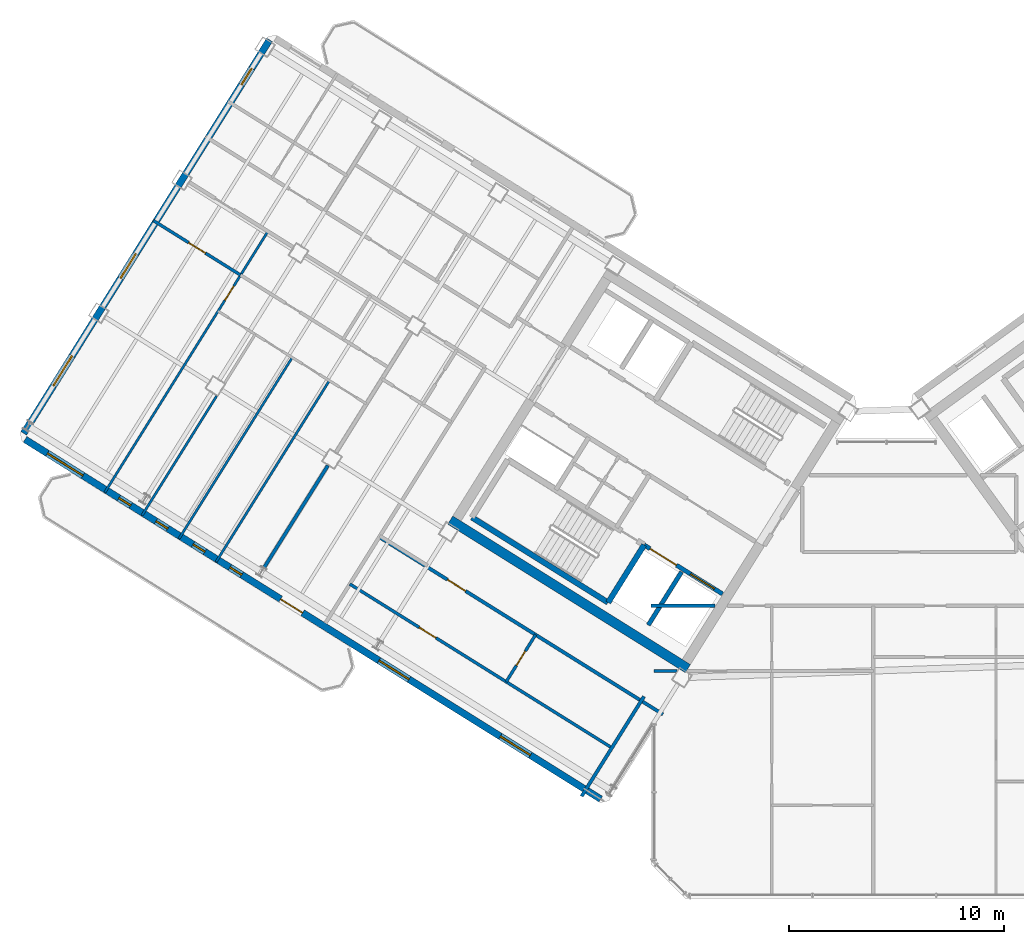
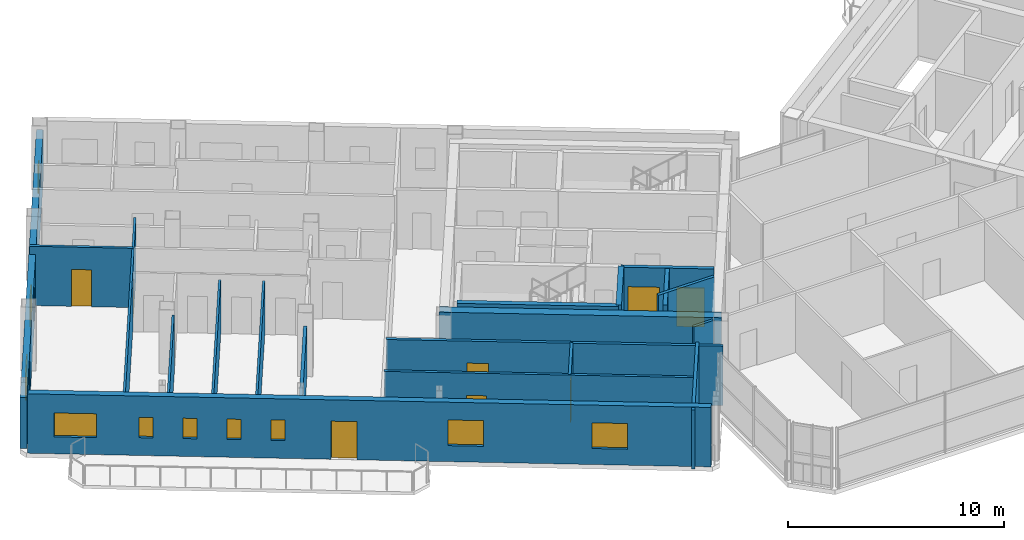
# One storey, part 16 of 25: 19 walls, 10 windows, 8 doors, 18 openings.
"""IFC4 building model written with IfcOpenShell, lengths in metres."""

from ifc_helpers import new_model, si_unit, direction, frame, frame_2d, origin, place, context, subcontext, project, spatial, rectangle, extrude, source, transform, mapped, material, layer, layer_set, type_object, element, fill, save


model = new_model("IFC4")

# Units and contexts
model_context = context("Model", 3, precision=1e-05, world=origin(), true_north=direction((0.0, 1.0)))
body_context = subcontext(model_context, "Body", "Model", "MODEL_VIEW")
ifc_project = project(units=[si_unit("LENGTHUNIT", "METRE"), si_unit("AREAUNIT", "SQUARE_METRE"), si_unit("VOLUMEUNIT", "CUBIC_METRE"), si_unit("PLANEANGLEUNIT", "RADIAN"), si_unit("MASSUNIT", "GRAM", prefix="KILO")], contexts=[model_context])

# Site, building, storey
site_placement = place(None, origin())
site = spatial("IfcSite", under=ifc_project, at=site_placement, CompositionType="ELEMENT")
building_placement = place(site_placement, origin())
building = spatial("IfcBuilding", under=site, at=building_placement, Name="Tlacorven Tower", CompositionType="ELEMENT")
storey_placement = place(building_placement, frame((0.0, 0.0, 259.199951171875)))
storey = spatial("IfcBuildingStorey", under=building, at=storey_placement, Name="L65", CompositionType="ELEMENT", Elevation=259.199951171875)

# Walls
ifc_material_1 = material(Name="Concrete C50/60", Category="concrete")
ifc_layer_1 = layer(ifc_material_1, 0.449951171875)
ifc_layer_set_1 = layer_set([ifc_layer_1], Name="Concrete C50/60")
wall_type_1 = type_object("IfcWallType", Name="WL-COR-450", PredefinedType="SHEAR", material=ifc_layer_set_1)
wall_1_placement = place(storey_placement, frame((33.32373046875, 12.5029296875, 0.0), z_axis=(0.0, 0.0, 1.0), x_axis=(-0.848043529849, 0.529926571782, 0.0)))
element("IfcWall", 1, at=wall_1_placement, inside=storey, type_object=wall_type_1, Name="L65 W core shear wall S2", PredefinedType="SHEAR", context=body_context, shape_type="SweptSolid", body=[
    extrude(rectangle(XDim=13.039794921875, YDim=0.449951171875, at=frame_2d((6.52001953125, 0.0))), origin(), (0.0, 0.0, 1.0), 3.35009765625),
])
ifc_material_2 = material(Name="Gypsum plasterboard acoustic partition", Category="gypsum")
ifc_layer_2 = layer(ifc_material_2, 0.159912109375)
ifc_layer_set_2 = layer_set([ifc_layer_2], Name="Gypsum plasterboard acoustic partition")
wall_type_2 = type_object("IfcWallType", Name="WL-DEM-160", PredefinedType="PARTITIONING", material=ifc_layer_set_2)
wall_2_placement = place(storey_placement, frame((16.57177734375, 21.954345703125, 0.0), z_axis=(0.0, 0.0, 1.0), x_axis=(-0.529904903214, -0.848057069748, 0.0)))
element("IfcWall", 2, at=wall_2_placement, inside=storey, type_object=wall_type_2, Name="L65 WN Demising Wall 1", PredefinedType="PARTITIONING", context=body_context, shape_type="SweptSolid", body=[
    extrude(rectangle(XDim=5.60107421875, YDim=0.159912109375, at=frame_2d((2.800537109375, 0.0))), origin(), (0.0, 0.0, 1.0), 2.875),
])

# Wall, opening, door
wall_3_placement = place(storey_placement, frame((32.164306640625, 10.373779296875, 0.0), z_axis=(0.0, 0.0, 1.0), x_axis=(-0.848044107957, 0.529925646633, 0.0)))
wall_3 = element("IfcWall", 3, at=wall_3_placement, inside=storey, type_object=wall_type_2, Name="L65 partition 64", PredefinedType="PARTITIONING", context=body_context, shape_type="SweptSolid", body=[
    extrude(rectangle(XDim=15.570068359375, YDim=0.159912109375, at=frame_2d((7.78515625, 0.0))), origin(), (0.0, 0.0, 1.0), 3.340087890625),
])
opening_1_placement = place(wall_3_placement, frame((10.830078125, 0.0, 0.0)))
opening_1 = element("IfcOpeningElement", 4, at=opening_1_placement, cuts=wall_3, Name="Opening D11", PredefinedType="OPENING", context=body_context, shape_type="SweptSolid", body=[
    extrude(rectangle(XDim=1.0, YDim=2.10009765625, at=frame_2d((0.5, 1.050048828125))), frame((0.0, 0.08984375, 0.0), z_axis=(0.0, -1.0, 0.0), x_axis=(1.0, 0.0, 0.0)), (0.0, 0.0, 1.0), 0.179931640625),
])
ifc_material_3 = material(Name="Fire-rated steel door assembly", Category="steel")
door_type_1 = type_object("IfcDoorType", Name="DR-FLT-FD60-1000", OperationType="NOTDEFINED", PredefinedType="DOOR", material=ifc_material_3)
shared_shape_1 = source(origin(), body_context, "Body", "SweptSolid", [
    extrude(rectangle(XDim=1.0, YDim=2.10009765625, at=frame_2d((0.5, 1.050048828125))), frame((0.0, 0.02490234375, 0.0), z_axis=(0.0, -1.0, 0.0), x_axis=(1.0, 0.0, 0.0)), (0.0, 0.0, 1.0), 0.050048828125),
])
door_1_placement = place(opening_1_placement, origin())
door_1 = element("IfcDoor", 5, at=door_1_placement, inside=storey, type_object=door_type_1, Name="L65 door 044", OperationType="SINGLE_SWING_RIGHT", OverallHeight=2.10009765625, OverallWidth=1.0, PredefinedType="DOOR", context=body_context, shape_type="MappedRepresentation", body=[
    mapped(shared_shape_1, transform((0.0, 0.0, 0.0), scale=1.0)),
])
fill(opening_1, door_1)

# Walls
wall_4_placement = place(storey_placement, frame((31.282470703125, 11.2080078125, 0.0), z_axis=(0.0, 0.0, 1.0), x_axis=(-0.529938869374, -0.84803584519, 0.0)))
element("IfcWall", 6, at=wall_4_placement, inside=storey, type_object=wall_type_2, Name="L65 WC West Throat Wall", PredefinedType="PARTITIONING", context=body_context, shape_type="SweptSolid", body=[
    extrude(rectangle(XDim=5.47998046875, YDim=0.159912109375, at=frame_2d((2.739990234375, 0.0))), origin(), (0.0, 0.0, 1.0), 3.340087890625),
])
wall_5_placement = place(storey_placement, frame((31.60009765625, 15.419921875, 0.0), z_axis=(0.0, 0.0, 1.0), x_axis=(1.0, 0.0, 0.0)))
element("IfcWall", 7, at=wall_5_placement, inside=storey, type_object=wall_type_2, Name="L65 Knuckle Corridor South Wall", PredefinedType="PARTITIONING", context=body_context, shape_type="SweptSolid", body=[
    extrude(rectangle(XDim=2.984130859375, YDim=0.159912109375, at=frame_2d((1.4921875, 0.0))), origin(), (0.0, 0.0, 1.0), 3.340087890625),
])

# Wall, openings, door, windows
ifc_material_4 = material(Name="Precast concrete C45/55", Category="concrete")
ifc_layer_3 = layer(ifc_material_4, 0.320068359375)
ifc_layer_set_3 = layer_set([ifc_layer_3], Name="Precast concrete C45/55")
wall_type_3 = type_object("IfcWallType", Name="WL-EXT-320", PredefinedType="STANDARD", material=ifc_layer_set_3)
wall_6_placement = place(storey_placement, frame((29.267822265625, 6.429443359375, 0.0), z_axis=(0.0, 0.0, 1.0), x_axis=(-0.848049971435, 0.529916263149, 0.0)))
wall_6 = element("IfcWall", 8, at=wall_6_placement, inside=storey, type_object=wall_type_3, Name="L65 Masonry-Frame Recessed Facade Wall 1", PredefinedType="STANDARD", context=body_context, shape_type="SweptSolid", body=[
    extrude(rectangle(XDim=31.587646484375, YDim=0.320068359375, at=frame_2d((15.7939453125, 0.0))), origin(), (0.0, 0.0, 1.0), 3.35009765625),
])
opening_2_placement = place(wall_6_placement, frame((16.36181640625, 0.0, 0.0)))
opening_2 = element("IfcOpeningElement", 9, at=opening_2_placement, cuts=wall_6, Name="Opening D05", PredefinedType="OPENING", context=body_context, shape_type="SweptSolid", body=[
    extrude(rectangle(XDim=1.199951171875, YDim=2.14990234375, at=frame_2d((0.60009765625, 1.074951171875))), frame((0.0, 0.169921875, 0.0), z_axis=(0.0, -1.0, 0.0), x_axis=(1.0, 0.0, 0.0)), (0.0, 0.0, 1.0), 0.340087890625),
])
opening_3_placement = place(wall_6_placement, frame((3.858642578125, 0.0, 0.89990234375)))
opening_3 = element("IfcOpeningElement", 10, at=opening_3_placement, cuts=wall_6, Name="Opening WN07", PredefinedType="OPENING", context=body_context, shape_type="SweptSolid", body=[
    extrude(rectangle(XDim=1.64990234375, YDim=1.449951171875, at=frame_2d((0.824951171875, 0.72509765625))), frame((0.0, 0.169921875, 0.0), z_axis=(0.0, -1.0, 0.0), x_axis=(1.0, 0.0, 0.0)), (0.0, 0.0, 1.0), 0.340087890625),
])
opening_4_placement = place(wall_6_placement, frame((10.518798828125, 0.0, 0.89990234375)))
opening_4 = element("IfcOpeningElement", 11, at=opening_4_placement, cuts=wall_6, Name="Opening WN07", PredefinedType="OPENING", context=body_context, shape_type="SweptSolid", body=[
    extrude(rectangle(XDim=1.64990234375, YDim=1.449951171875, at=frame_2d((0.824951171875, 0.72509765625))), frame((0.0, 0.169921875, 0.0), z_axis=(0.0, -1.0, 0.0), x_axis=(1.0, 0.0, 0.0)), (0.0, 0.0, 1.0), 0.340087890625),
])
opening_5_placement = place(wall_6_placement, frame((28.4130859375, 0.0, 0.949951171875)))
opening_5 = element("IfcOpeningElement", 12, at=opening_5_placement, cuts=wall_6, Name="Opening WN09", PredefinedType="OPENING", context=body_context, shape_type="SweptSolid", body=[
    extrude(rectangle(XDim=1.949951171875, YDim=1.35009765625, at=frame_2d((0.97509765625, 0.675048828125))), frame((0.0, 0.169921875, 0.0), z_axis=(0.0, -1.0, 0.0), x_axis=(1.0, 0.0, 0.0)), (0.0, 0.0, 1.0), 0.340087890625),
])
opening_6_placement = place(wall_6_placement, frame((19.69873046875, 0.0, 1.0)))
opening_6 = element("IfcOpeningElement", 13, at=opening_6_placement, cuts=wall_6, Name="Opening WN21", PredefinedType="OPENING", context=body_context, shape_type="SweptSolid", body=[
    extrude(rectangle(XDim=0.64990234375, YDim=1.14990234375, at=frame_2d((0.324951171875, 0.574951171875))), frame((0.0, 0.169921875, 0.0), z_axis=(0.0, -1.0, 0.0), x_axis=(1.0, 0.0, 0.0)), (0.0, 0.0, 1.0), 0.340087890625),
])
opening_7_placement = place(wall_6_placement, frame((21.72119140625, 0.0, 1.0)))
opening_7 = element("IfcOpeningElement", 14, at=opening_7_placement, cuts=wall_6, Name="Opening WN21", PredefinedType="OPENING", context=body_context, shape_type="SweptSolid", body=[
    extrude(rectangle(XDim=0.64990234375, YDim=1.14990234375, at=frame_2d((0.324951171875, 0.574951171875))), frame((0.0, 0.169921875, 0.0), z_axis=(0.0, -1.0, 0.0), x_axis=(1.0, 0.0, 0.0)), (0.0, 0.0, 1.0), 0.340087890625),
])
opening_8_placement = place(wall_6_placement, frame((23.756103515625, 0.0, 1.0)))
opening_8 = element("IfcOpeningElement", 15, at=opening_8_placement, cuts=wall_6, Name="Opening WN21", PredefinedType="OPENING", context=body_context, shape_type="SweptSolid", body=[
    extrude(rectangle(XDim=0.64990234375, YDim=1.14990234375, at=frame_2d((0.324951171875, 0.574951171875))), frame((0.0, 0.169921875, 0.0), z_axis=(0.0, -1.0, 0.0), x_axis=(1.0, 0.0, 0.0)), (0.0, 0.0, 1.0), 0.340087890625),
])
opening_9_placement = place(wall_6_placement, frame((25.791259765625, 0.0, 1.0)))
opening_9 = element("IfcOpeningElement", 16, at=opening_9_placement, cuts=wall_6, Name="Opening WN21", PredefinedType="OPENING", context=body_context, shape_type="SweptSolid", body=[
    extrude(rectangle(XDim=0.64990234375, YDim=1.14990234375, at=frame_2d((0.324951171875, 0.574951171875))), frame((0.0, 0.169921875, 0.0), z_axis=(0.0, -1.0, 0.0), x_axis=(1.0, 0.0, 0.0)), (0.0, 0.0, 1.0), 0.340087890625),
])
ifc_material_5 = material(Name="Powder-coated aluminium and timber door", Category="wood")
door_type_2 = type_object("IfcDoorType", Name="DR-EXT-BALC-1200", OperationType="NOTDEFINED", PredefinedType="DOOR", material=ifc_material_5)
shared_shape_2 = source(origin(), body_context, "Body", "SweptSolid", [
    extrude(rectangle(XDim=1.199951171875, YDim=2.14990234375, at=frame_2d((0.60009765625, 1.074951171875))), frame((0.0, 0.02490234375, 0.0), z_axis=(0.0, -1.0, 0.0), x_axis=(1.0, 0.0, 0.0)), (0.0, 0.0, 1.0), 0.050048828125),
])
door_2_placement = place(opening_2_placement, origin())
door_2 = element("IfcDoor", 17, at=door_2_placement, inside=storey, type_object=door_type_2, Name="L65 Outdoor Access Door BAL-L65-W-OUT", OperationType="SINGLE_SWING_LEFT", OverallHeight=2.14990234375, OverallWidth=1.199951171875, PredefinedType="DOOR", context=body_context, shape_type="MappedRepresentation", body=[
    mapped(shared_shape_2, transform((0.0, 0.0, 0.0), scale=1.0)),
])
fill(opening_2, door_2)
ifc_material_6 = material(Name="Dark solar low-E double glazing in anodised aluminium frame", Category="aluminium")
window_type_1 = type_object("IfcWindowType", Name="WN-APT-0650X1150", PartitioningType="SINGLE_PANEL", PredefinedType="WINDOW", material=ifc_material_6)
shared_shape_3 = source(origin(), body_context, "Body", "SweptSolid", [
    extrude(rectangle(XDim=0.64990234375, YDim=1.14990234375, at=frame_2d((0.324951171875, 0.574951171875))), frame((0.0, 0.030029296875, 0.0), z_axis=(0.0, -1.0, 0.0), x_axis=(1.0, 0.0, 0.0)), (0.0, 0.0, 1.0), 0.06005859375),
])
window_1_placement = place(opening_6_placement, origin())
window_1 = element("IfcWindow", 18, at=window_1_placement, inside=storey, type_object=window_type_1, Name="L65 Dwelling Daylight Window L65-U02-BD1", OverallHeight=1.14990234375, OverallWidth=0.64990234375, PartitioningType="SINGLE_PANEL", PredefinedType="WINDOW", context=body_context, shape_type="MappedRepresentation", body=[
    mapped(shared_shape_3, transform((0.0, 0.0, 0.0), scale=1.0)),
])
fill(opening_6, window_1)
window_2_placement = place(opening_7_placement, origin())
window_2 = element("IfcWindow", 19, at=window_2_placement, inside=storey, type_object=window_type_1, Name="L65 Dwelling Daylight Window L65-U02-BD2", OverallHeight=1.14990234375, OverallWidth=0.64990234375, PartitioningType="SINGLE_PANEL", PredefinedType="WINDOW", context=body_context, shape_type="MappedRepresentation", body=[
    mapped(shared_shape_3, transform((0.0, 0.0, 0.0), scale=1.0)),
])
fill(opening_7, window_2)
window_3_placement = place(opening_8_placement, origin())
window_3 = element("IfcWindow", 20, at=window_3_placement, inside=storey, type_object=window_type_1, Name="L65 Dwelling Daylight Window L65-U02-BD3", OverallHeight=1.14990234375, OverallWidth=0.64990234375, PartitioningType="SINGLE_PANEL", PredefinedType="WINDOW", context=body_context, shape_type="MappedRepresentation", body=[
    mapped(shared_shape_3, transform((0.0, 0.0, 0.0), scale=1.0)),
])
fill(opening_8, window_3)
window_4_placement = place(opening_9_placement, origin())
window_4 = element("IfcWindow", 21, at=window_4_placement, inside=storey, type_object=window_type_1, Name="L65 Dwelling Daylight Window L65-U02-BD4", OverallHeight=1.14990234375, OverallWidth=0.64990234375, PartitioningType="SINGLE_PANEL", PredefinedType="WINDOW", context=body_context, shape_type="MappedRepresentation", body=[
    mapped(shared_shape_3, transform((0.0, 0.0, 0.0), scale=1.0)),
])
fill(opening_9, window_4)
window_type_2 = type_object("IfcWindowType", Name="WN-APT-1650X1600", PartitioningType="SINGLE_PANEL", PredefinedType="WINDOW", material=ifc_material_6)
shared_shape_4 = source(origin(), body_context, "Body", "SweptSolid", [
    extrude(rectangle(XDim=1.64990234375, YDim=1.449951171875, at=frame_2d((0.824951171875, 0.72509765625))), frame((0.0, 0.030029296875, 0.0), z_axis=(0.0, -1.0, 0.0), x_axis=(1.0, 0.0, 0.0)), (0.0, 0.0, 1.0), 0.06005859375),
])
window_5_placement = place(opening_3_placement, origin())
window_5 = element("IfcWindow", 22, at=window_5_placement, inside=storey, type_object=window_type_2, Name="L65 Recessed Masonry-Frame Window L65-01.1", OverallHeight=1.449951171875, OverallWidth=1.64990234375, PartitioningType="SINGLE_PANEL", PredefinedType="WINDOW", context=body_context, shape_type="MappedRepresentation", body=[
    mapped(shared_shape_4, transform((0.0, 0.0, 0.0), scale=1.0)),
])
fill(opening_3, window_5)
window_6_placement = place(opening_4_placement, origin())
window_6 = element("IfcWindow", 23, at=window_6_placement, inside=storey, type_object=window_type_2, Name="L65 Recessed Masonry-Frame Window L65-01.2", OverallHeight=1.449951171875, OverallWidth=1.64990234375, PartitioningType="SINGLE_PANEL", PredefinedType="WINDOW", context=body_context, shape_type="MappedRepresentation", body=[
    mapped(shared_shape_4, transform((0.0, 0.0, 0.0), scale=1.0)),
])
fill(opening_4, window_6)
window_type_3 = type_object("IfcWindowType", Name="WN-GAL-1950X1450", PartitioningType="SINGLE_PANEL", PredefinedType="WINDOW", material=ifc_material_6)
shared_shape_5 = source(origin(), body_context, "Body", "SweptSolid", [
    extrude(rectangle(XDim=1.949951171875, YDim=1.35009765625, at=frame_2d((0.97509765625, 0.675048828125))), frame((0.0, 0.030029296875, 0.0), z_axis=(0.0, -1.0, 0.0), x_axis=(1.0, 0.0, 0.0)), (0.0, 0.0, 1.0), 0.06005859375),
])
window_7_placement = place(opening_5_placement, origin())
window_7 = element("IfcWindow", 24, at=window_7_placement, inside=storey, type_object=window_type_3, Name="L65 Recessed Masonry-Frame Window L65-01.3", OverallHeight=1.35009765625, OverallWidth=1.949951171875, PartitioningType="SINGLE_PANEL", PredefinedType="WINDOW", context=body_context, shape_type="MappedRepresentation", body=[
    mapped(shared_shape_5, transform((0.0, 0.0, 0.0), scale=1.0)),
])
fill(opening_5, window_7)

# Wall, openings, windows
wall_7_placement = place(storey_placement, frame((2.41455078125, 23.452392578125, 0.0), z_axis=(0.0, 0.0, 1.0), x_axis=(0.52991049553, 0.848053575387, 0.0)))
wall_7 = element("IfcWall", 25, at=wall_7_placement, inside=storey, type_object=wall_type_3, Name="L65 Masonry-Frame Recessed Facade Wall 2", PredefinedType="STANDARD", context=body_context, shape_type="SweptSolid", body=[
    extrude(rectangle(XDim=21.58740234375, YDim=0.320068359375, at=frame_2d((10.793701171875, 0.0))), origin(), (0.0, 0.0, 1.0), 2.875),
])
opening_10_placement = place(wall_7_placement, frame((2.606201171875, 0.0, 0.89990234375)))
opening_10 = element("IfcOpeningElement", 26, at=opening_10_placement, cuts=wall_7, Name="Opening WN07", PredefinedType="OPENING", context=body_context, shape_type="SweptSolid", body=[
    extrude(rectangle(XDim=1.64990234375, YDim=1.449951171875, at=frame_2d((0.824951171875, 0.72509765625))), frame((0.0, 0.169921875, 0.0), z_axis=(0.0, -1.0, 0.0), x_axis=(1.0, 0.0, 0.0)), (0.0, 0.0, 1.0), 0.340087890625),
])
opening_11_placement = place(wall_7_placement, frame((8.5087890625, 0.0, 0.89990234375)))
opening_11 = element("IfcOpeningElement", 27, at=opening_11_placement, cuts=wall_7, Name="Opening WN08", PredefinedType="OPENING", context=body_context, shape_type="SweptSolid", body=[
    extrude(rectangle(XDim=1.35009765625, YDim=1.449951171875, at=frame_2d((0.675048828125, 0.72509765625))), frame((0.0, 0.169921875, 0.0), z_axis=(0.0, -1.0, 0.0), x_axis=(1.0, 0.0, 0.0)), (0.0, 0.0, 1.0), 0.340087890625),
])
opening_12_placement = place(wall_7_placement, frame((19.126220703125, 0.0, 1.0)))
opening_12 = element("IfcOpeningElement", 28, at=opening_12_placement, cuts=wall_7, Name="Opening WN05", PredefinedType="OPENING", context=body_context, shape_type="SweptSolid", body=[
    extrude(rectangle(XDim=0.89990234375, YDim=1.25, at=frame_2d((0.449951171875, 0.625))), frame((0.0, 0.169921875, 0.0), z_axis=(0.0, -1.0, 0.0), x_axis=(1.0, 0.0, 0.0)), (0.0, 0.0, 1.0), 0.340087890625),
])
window_type_4 = type_object("IfcWindowType", Name="WN-APT-0900X1350", PartitioningType="SINGLE_PANEL", PredefinedType="WINDOW", material=ifc_material_6)
shared_shape_6 = source(origin(), body_context, "Body", "SweptSolid", [
    extrude(rectangle(XDim=0.89990234375, YDim=1.25, at=frame_2d((0.449951171875, 0.625))), frame((0.0, 0.030029296875, 0.0), z_axis=(0.0, -1.0, 0.0), x_axis=(1.0, 0.0, 0.0)), (0.0, 0.0, 1.0), 0.06005859375),
])
window_8_placement = place(opening_12_placement, origin())
window_8 = element("IfcWindow", 29, at=window_8_placement, inside=storey, type_object=window_type_4, Name="L65 Recessed Masonry-Frame Window L65-02.3", OverallHeight=1.25, OverallWidth=0.89990234375, PartitioningType="SINGLE_PANEL", PredefinedType="WINDOW", context=body_context, shape_type="MappedRepresentation", body=[
    mapped(shared_shape_6, transform((0.0, 0.0, 0.0), scale=1.0)),
])
fill(opening_12, window_8)
window_9_placement = place(opening_10_placement, origin())
window_9 = element("IfcWindow", 30, at=window_9_placement, inside=storey, type_object=window_type_2, Name="L65 Recessed Masonry-Frame Window L65-02.1", OverallHeight=1.449951171875, OverallWidth=1.64990234375, PartitioningType="SINGLE_PANEL", PredefinedType="WINDOW", context=body_context, shape_type="MappedRepresentation", body=[
    mapped(shared_shape_4, transform((0.0, 0.0, 0.0), scale=1.0)),
])
fill(opening_10, window_9)
window_type_5 = type_object("IfcWindowType", Name="WN-APT-1350X1550", PartitioningType="SINGLE_PANEL", PredefinedType="WINDOW", material=ifc_material_6)
shared_shape_7 = source(origin(), body_context, "Body", "SweptSolid", [
    extrude(rectangle(XDim=1.35009765625, YDim=1.449951171875, at=frame_2d((0.675048828125, 0.72509765625))), frame((0.0, 0.030029296875, 0.0), z_axis=(0.0, -1.0, 0.0), x_axis=(1.0, 0.0, 0.0)), (0.0, 0.0, 1.0), 0.06005859375),
])
window_10_placement = place(opening_11_placement, origin())
window_10 = element("IfcWindow", 31, at=window_10_placement, inside=storey, type_object=window_type_5, Name="L65 Recessed Masonry-Frame Window L65-02.2", OverallHeight=1.449951171875, OverallWidth=1.35009765625, PartitioningType="SINGLE_PANEL", PredefinedType="WINDOW", context=body_context, shape_type="MappedRepresentation", body=[
    mapped(shared_shape_7, transform((0.0, 0.0, 0.0), scale=1.0)),
])
fill(opening_11, window_10)

# Wall, opening, door
ifc_material_7 = material(Name="Gypsum plasterboard partition", Category="gypsum")
ifc_layer_4 = layer(ifc_material_7, 0.110107421875)
ifc_layer_set_4 = layer_set([ifc_layer_4], Name="Gypsum plasterboard partition")
wall_type_4 = type_object("IfcWallType", Name="WL-INT-110", PredefinedType="PARTITIONING", material=ifc_layer_set_4)
wall_8_placement = place(storey_placement, frame((13.781982421875, 32.850341796875, 0.0), z_axis=(0.0, 0.0, 1.0), x_axis=(-0.529928444178, -0.848042359821, 0.0)))
wall_8 = element("IfcWall", 32, at=wall_8_placement, inside=storey, type_object=wall_type_4, Name="L65 partition 48", PredefinedType="PARTITIONING", context=body_context, shape_type="SweptSolid", body=[
    extrude(rectangle(XDim=14.320068359375, YDim=0.110107421875, at=frame_2d((7.16015625, 0.0))), origin(), (0.0, 0.0, 1.0), 3.340087890625),
])
opening_13_placement = place(wall_8_placement, frame((3.0, 0.0, 0.0)))
opening_13 = element("IfcOpeningElement", 33, at=opening_13_placement, cuts=wall_8, Name="Opening D22", PredefinedType="OPENING", context=body_context, shape_type="SweptSolid", body=[
    extrude(rectangle(XDim=0.780029296875, YDim=2.050048828125, at=frame_2d((0.39013671875, 1.02490234375))), frame((0.0, 0.06494140625, 0.0), z_axis=(0.0, -1.0, 0.0), x_axis=(1.0, 0.0, 0.0)), (0.0, 0.0, 1.0), 0.130126953125),
])
door_type_3 = type_object("IfcDoorType", Name="DR-INT-WET-0780", OperationType="NOTDEFINED", PredefinedType="DOOR", material=ifc_material_5)
shared_shape_8 = source(origin(), body_context, "Body", "SweptSolid", [
    extrude(rectangle(XDim=0.780029296875, YDim=2.050048828125, at=frame_2d((0.39013671875, 1.02490234375))), frame((0.0, 0.02490234375, 0.0), z_axis=(0.0, -1.0, 0.0), x_axis=(1.0, 0.0, 0.0)), (0.0, 0.0, 1.0), 0.050048828125),
])
door_3_placement = place(opening_13_placement, origin())
door_3 = element("IfcDoor", 34, at=door_3_placement, inside=storey, type_object=door_type_3, Name="L65 door 029", OperationType="SINGLE_SWING_LEFT", OverallHeight=2.050048828125, OverallWidth=0.780029296875, PredefinedType="DOOR", context=body_context, shape_type="MappedRepresentation", body=[
    mapped(shared_shape_8, transform((0.0, 0.0, 0.0), scale=1.0)),
])
fill(opening_13, door_3)

# Walls
for number, where, z_axis, x_axis, name in (
    (35, (16.63818359375, 25.90087890625, 0.0), (0.0, 0.0, 1.0), (-0.529910626741, -0.8480534934, 0.0), "L65 partition 54"),
    (36, (14.912353515625, 26.979248046875, 0.0), (0.0, 0.0, 1.0), (-0.529910626741, -0.8480534934, 0.0), "L65 partition 55"),
):
    element("IfcWall", number, at=place(storey_placement, frame(where, z_axis=z_axis, x_axis=x_axis)), inside=storey, type_object=wall_type_4, Name=name, PredefinedType="PARTITIONING", context=body_context, shape_type="SweptSolid", body=[
        extrude(rectangle(XDim=9.93994140625, YDim=0.110107421875, at=frame_2d((4.969970703125, 0.0))), origin(), (0.0, 0.0, 1.0), 3.025146484375),
    ])
wall_9_placement = place(storey_placement, frame((11.39453125, 25.189453125, 0.0), z_axis=(0.0, 0.0, 1.0), x_axis=(-0.529932012693, -0.848040129901, 0.0)))
element("IfcWall", 37, at=wall_9_placement, inside=storey, type_object=wall_type_4, Name="L65 partition 56", PredefinedType="PARTITIONING", context=body_context, shape_type="SweptSolid", body=[
    extrude(rectangle(XDim=6.55810546875, YDim=0.110107421875, at=frame_2d((3.279052734375, 0.0))), origin(), (0.0, 0.0, 1.0), 3.340087890625),
])

# Wall, opening, door
ifc_material_8 = material(Name="Moisture-resistant gypsum plumbing wall", Category="gypsum")
ifc_layer_5 = layer(ifc_material_8, 0.139892578125)
ifc_layer_set_5 = layer_set([ifc_layer_5], Name="Moisture-resistant gypsum plumbing wall")
wall_type_5 = type_object("IfcWallType", Name="WL-PLM-140", PredefinedType="PLUMBINGWALL", material=ifc_layer_set_5)
wall_10_placement = place(storey_placement, frame((12.510009765625, 30.815185546875, 0.0), z_axis=(0.0, 0.0, 1.0), x_axis=(-0.848041344127, 0.529930069585, 0.0)))
wall_10 = element("IfcWall", 38, at=wall_10_placement, inside=storey, type_object=wall_type_5, Name="L65 partition 50", PredefinedType="PLUMBINGWALL", context=body_context, shape_type="SweptSolid", body=[
    extrude(rectangle(XDim=4.77978515625, YDim=0.139892578125, at=frame_2d((2.389892578125, 0.0))), origin(), (0.0, 0.0, 1.0), 3.340087890625),
])
opening_14_placement = place(wall_10_placement, frame((1.929931640625, 0.0, 0.0)))
opening_14 = element("IfcOpeningElement", 39, at=opening_14_placement, cuts=wall_10, Name="Opening D12", PredefinedType="OPENING", context=body_context, shape_type="SweptSolid", body=[
    extrude(rectangle(XDim=0.919921875, YDim=2.080078125, at=frame_2d((0.4599609375, 1.0400390625))), frame((0.0, 0.080078125, 0.0), z_axis=(0.0, -1.0, 0.0), x_axis=(1.0, 0.0, 0.0)), (0.0, 0.0, 1.0), 0.159912109375),
])
door_type_4 = type_object("IfcDoorType", Name="DR-INT-ROOM-0920", OperationType="NOTDEFINED", PredefinedType="DOOR", material=ifc_material_5)
shared_shape_9 = source(origin(), body_context, "Body", "SweptSolid", [
    extrude(rectangle(XDim=0.919921875, YDim=2.080078125, at=frame_2d((0.4599609375, 1.0400390625))), frame((0.0, 0.02490234375, 0.0), z_axis=(0.0, -1.0, 0.0), x_axis=(1.0, 0.0, 0.0)), (0.0, 0.0, 1.0), 0.050048828125),
])
door_4_placement = place(opening_14_placement, origin())
door_4 = element("IfcDoor", 40, at=door_4_placement, inside=storey, type_object=door_type_4, Name="L65 door 028", OperationType="SINGLE_SWING_RIGHT", OverallHeight=2.080078125, OverallWidth=0.919921875, PredefinedType="DOOR", context=body_context, shape_type="MappedRepresentation", body=[
    mapped(shared_shape_9, transform((0.0, 0.0, 0.0), scale=1.0)),
])
fill(opening_14, door_4)

wall_11_placement = place(storey_placement, frame((29.72021484375, 8.85888671875, 0.0), z_axis=(0.0, 0.0, 1.0), x_axis=(-0.848049134363, 0.529917602752, 0.0)))
wall_11 = element("IfcWall", 41, at=wall_11_placement, inside=storey, type_object=wall_type_5, Name="L65 partition 66", PredefinedType="PLUMBINGWALL", context=body_context, shape_type="SweptSolid", body=[
    extrude(rectangle(XDim=14.300048828125, YDim=0.139892578125, at=frame_2d((7.14990234375, 0.0))), origin(), (0.0, 0.0, 1.0), 3.340087890625),
])
opening_15_placement = place(wall_11_placement, frame((9.570068359375, 0.0, 0.0)))
opening_15 = element("IfcOpeningElement", 42, at=opening_15_placement, cuts=wall_11, Name="Opening D12", PredefinedType="OPENING", context=body_context, shape_type="SweptSolid", body=[
    extrude(rectangle(XDim=0.919921875, YDim=2.080078125, at=frame_2d((0.4599609375, 1.0400390625))), frame((0.0, 0.080078125, 0.0), z_axis=(0.0, -1.0, 0.0), x_axis=(1.0, 0.0, 0.0)), (0.0, 0.0, 1.0), 0.159912109375),
])
door_5_placement = place(opening_15_placement, origin())
door_5 = element("IfcDoor", 43, at=door_5_placement, inside=storey, type_object=door_type_4, Name="L65 door 045", OperationType="SINGLE_SWING_LEFT", OverallHeight=2.080078125, OverallWidth=0.919921875, PredefinedType="DOOR", context=body_context, shape_type="MappedRepresentation", body=[
    mapped(shared_shape_9, transform((0.0, 0.0, 0.0), scale=1.0)),
])
fill(opening_15, door_5)

wall_12_placement = place(storey_placement, frame((26.236572265625, 14.077880859375, 0.0), z_axis=(0.0, 0.0, 1.0), x_axis=(-0.52995640672, -0.848024885824, 0.0)))
wall_12 = element("IfcWall", 44, at=wall_12_placement, inside=storey, type_object=wall_type_5, Name="L65 partition 67", PredefinedType="PLUMBINGWALL", context=body_context, shape_type="SweptSolid", body=[
    extrude(rectangle(XDim=2.579833984375, YDim=0.139892578125, at=frame_2d((1.2900390625, 0.0))), origin(), (0.0, 0.0, 1.0), 3.340087890625),
])
opening_16_placement = place(wall_12_placement, frame((0.89990234375, 0.0, 0.0)))
opening_16 = element("IfcOpeningElement", 45, at=opening_16_placement, cuts=wall_12, Name="Opening D22", PredefinedType="OPENING", context=body_context, shape_type="SweptSolid", body=[
    extrude(rectangle(XDim=0.780029296875, YDim=2.050048828125, at=frame_2d((0.39013671875, 1.02490234375))), frame((0.0, 0.080078125, 0.0), z_axis=(0.0, -1.0, 0.0), x_axis=(1.0, 0.0, 0.0)), (0.0, 0.0, 1.0), 0.159912109375),
])
door_6_placement = place(opening_16_placement, origin())
door_6 = element("IfcDoor", 46, at=door_6_placement, inside=storey, type_object=door_type_3, Name="L65 door 046", OperationType="SINGLE_SWING_RIGHT", OverallHeight=2.050048828125, OverallWidth=0.780029296875, PredefinedType="DOOR", context=body_context, shape_type="MappedRepresentation", body=[
    mapped(shared_shape_8, transform((0.0, 0.0, 0.0), scale=1.0)),
])
fill(opening_16, door_6)

# Wall
wall_13_placement = place(storey_placement, frame((31.739990234375, 12.389892578125, 0.0), z_axis=(0.0, 0.0, 1.0), x_axis=(1.0, 0.0, 0.0)))
element("IfcWall", 47, at=wall_13_placement, inside=storey, type_object=wall_type_5, Name="L65 partition 77", PredefinedType="PLUMBINGWALL", context=body_context, shape_type="SweptSolid", body=[
    extrude(rectangle(XDim=1.068603515625, YDim=0.139892578125, at=frame_2d((0.5341796875, 0.0))), origin(), (0.0, 0.0, 1.0), 3.340087890625),
])

# Wall, openings, doors
ifc_material_9 = material(Name="Concrete C40/50", Category="concrete")
ifc_layer_6 = layer(ifc_material_9, 0.199951171875)
ifc_layer_set_6 = layer_set([ifc_layer_6], Name="Concrete C40/50")
wall_type_6 = type_object("IfcWallType", Name="WL-SHF-200", PredefinedType="STANDARD", material=ifc_layer_set_6)
wall_14_placement = place(storey_placement, frame((34.93310546875, 15.978271484375, 0.0), z_axis=(0.0, 0.0, 1.0), x_axis=(-0.848055739377, 0.529907032327, 0.0)))
wall_14 = element("IfcWall", 48, at=wall_14_placement, inside=storey, type_object=wall_type_6, Name="L65 Core W Firefighting Lift Shaft Front Wall", PredefinedType="STANDARD", context=body_context, shape_type="SweptSolid", body=[
    extrude(rectangle(XDim=4.298095703125, YDim=0.199951171875, at=frame_2d((2.14892578125, 0.0))), origin(), (0.0, 0.0, 1.0), 3.340087890625),
])
opening_17_placement = place(wall_14_placement, frame((0.447998046875, 0.0, 0.0)))
opening_17 = element("IfcOpeningElement", 49, at=opening_17_placement, cuts=wall_14, Name="Opening LD03", PredefinedType="OPENING", context=body_context, shape_type="SweptSolid", body=[
    extrude(rectangle(XDim=1.300048828125, YDim=2.199951171875, at=frame_2d((0.64990234375, 1.10009765625))), frame((0.0, 0.10986328125, 0.0), z_axis=(0.0, -1.0, 0.0), x_axis=(1.0, 0.0, 0.0)), (0.0, 0.0, 1.0), 0.219970703125),
])
opening_18_placement = place(wall_14_placement, frame((2.52294921875, 0.0, 0.0)))
opening_18 = element("IfcOpeningElement", 50, at=opening_18_placement, cuts=wall_14, Name="Opening LD04", PredefinedType="OPENING", context=body_context, shape_type="SweptSolid", body=[
    extrude(rectangle(XDim=1.449951171875, YDim=2.25, at=frame_2d((0.72509765625, 1.125))), frame((0.0, 0.10986328125, 0.0), z_axis=(0.0, -1.0, 0.0), x_axis=(1.0, 0.0, 0.0)), (0.0, 0.0, 1.0), 0.219970703125),
])
door_type_5 = type_object("IfcDoorType", Name="DR-LFT-SLID-1300", OperationType="DOUBLE_DOOR_SLIDING", PredefinedType="DOOR", material=ifc_material_3)
shared_shape_10 = source(origin(), body_context, "Body", "SweptSolid", [
    extrude(rectangle(XDim=1.300048828125, YDim=2.199951171875, at=frame_2d((0.64990234375, 1.10009765625))), frame((0.0, 0.02490234375, 0.0), z_axis=(0.0, -1.0, 0.0), x_axis=(1.0, 0.0, 0.0)), (0.0, 0.0, 1.0), 0.050048828125),
])
door_7_placement = place(opening_17_placement, origin())
door_7 = element("IfcDoor", 51, at=door_7_placement, inside=storey, type_object=door_type_5, Name="L65 Lift FFL-W1 Sliding Landing Door", OperationType="DOUBLE_DOOR_SLIDING", OverallHeight=2.199951171875, OverallWidth=1.300048828125, PredefinedType="DOOR", context=body_context, shape_type="MappedRepresentation", body=[
    mapped(shared_shape_10, transform((0.0, 0.0, 0.0), scale=1.0)),
])
fill(opening_17, door_7)
door_type_6 = type_object("IfcDoorType", Name="DR-LFT-SLID-1450", OperationType="DOUBLE_DOOR_SLIDING", PredefinedType="DOOR", material=ifc_material_3)
shared_shape_11 = source(origin(), body_context, "Body", "SweptSolid", [
    extrude(rectangle(XDim=1.449951171875, YDim=2.25, at=frame_2d((0.72509765625, 1.125))), frame((0.0, 0.02490234375, 0.0), z_axis=(0.0, -1.0, 0.0), x_axis=(1.0, 0.0, 0.0)), (0.0, 0.0, 1.0), 0.050048828125),
])
door_8_placement = place(opening_18_placement, origin())
door_8 = element("IfcDoor", 52, at=door_8_placement, inside=storey, type_object=door_type_6, Name="L65 Lift SVL-W1 Sliding Landing Door", OperationType="DOUBLE_DOOR_SLIDING", OverallHeight=2.25, OverallWidth=1.449951171875, PredefinedType="DOOR", context=body_context, shape_type="MappedRepresentation", body=[
    mapped(shared_shape_11, transform((0.0, 0.0, 0.0), scale=1.0)),
])
fill(opening_18, door_8)

# Walls
wall_15_placement = place(storey_placement, frame((33.02880859375, 17.003173828125, 0.0), z_axis=(0.0, 0.0, 1.0), x_axis=(-0.529916267533, -0.848049968695, 0.0)))
element("IfcWall", 53, at=wall_15_placement, inside=storey, type_object=wall_type_6, Name="L65 partition 11", PredefinedType="STANDARD", context=body_context, shape_type="SweptSolid", body=[
    extrude(rectangle(XDim=2.919921875, YDim=0.199951171875, at=frame_2d((1.4599609375, 0.0))), origin(), (0.0, 0.0, 1.0), 3.340087890625),
])
ifc_layer_7 = layer(ifc_material_1, 0.260009765625)
ifc_layer_set_7 = layer_set([ifc_layer_7], Name="Concrete C50/60")
wall_type_7 = type_object("IfcWallType", Name="WL-STW-260", PredefinedType="SHEAR", material=ifc_layer_set_7)
wall_16_placement = place(storey_placement, frame((29.60498046875, 15.581298828125, 0.0), z_axis=(0.0, 0.0, 1.0), x_axis=(-0.848036911448, 0.529937163087, 0.0)))
element("IfcWall", 54, at=wall_16_placement, inside=storey, type_object=wall_type_7, Name="L65 Stair W1 Far Shear Wall", PredefinedType="SHEAR", context=body_context, shape_type="SweptSolid", body=[
    extrude(rectangle(XDim=7.4599609375, YDim=0.260009765625, at=frame_2d((3.72998046875, 0.0))), origin(), (0.0, 0.0, 1.0), 3.35009765625),
])
wall_17_placement = place(storey_placement, frame((31.2880859375, 18.255859375, 0.0), z_axis=(0.0, 0.0, 1.0), x_axis=(-0.529943379326, -0.848033026897, 0.0)))
element("IfcWall", 55, at=wall_17_placement, inside=storey, type_object=wall_type_7, Name="L65 Stair W1 West Shear Wall", PredefinedType="SHEAR", context=body_context, shape_type="SweptSolid", body=[
    extrude(rectangle(XDim=3.159912109375, YDim=0.260009765625, at=frame_2d((1.580078125, 0.0))), origin(), (0.0, 0.0, 1.0), 3.35009765625),
])

save(model, "model.ifc")
